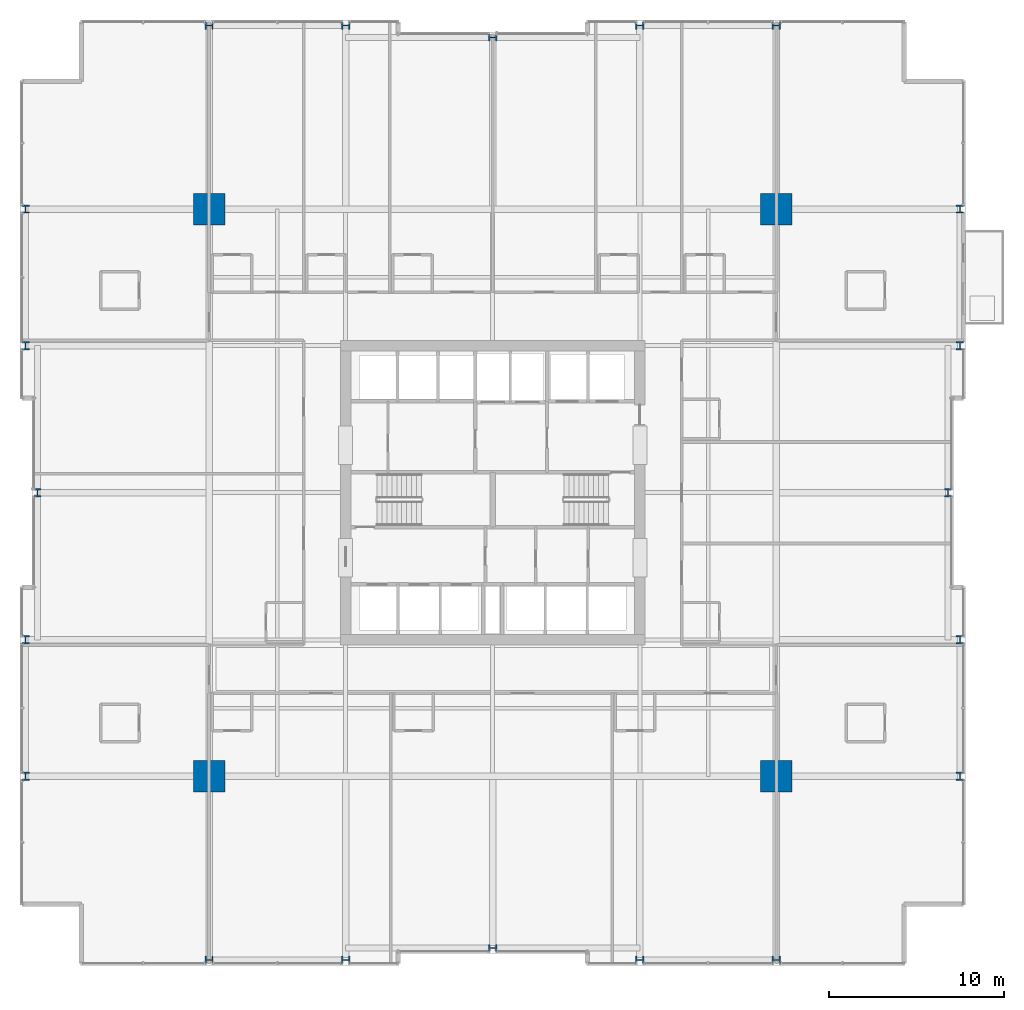
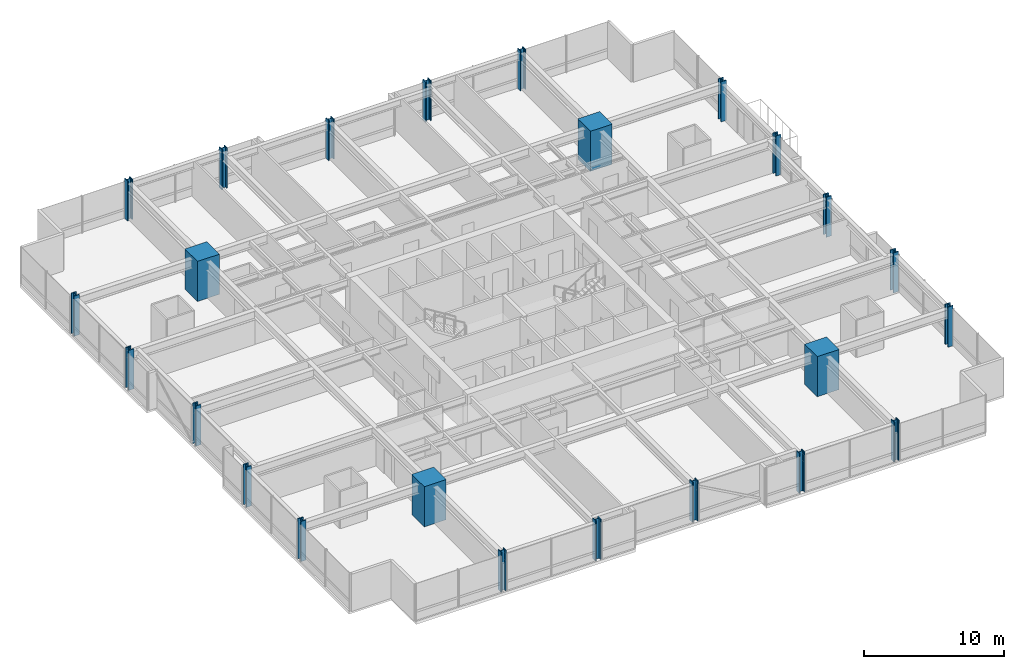
# One storey, part 1 of 38: 24 columns.
"""IFC4 building model written with IfcOpenShell, lengths in metres."""

import ifcopenshell
import ifcopenshell.guid

model = None  # the IFC model being written
_history = None  # IfcOwnerHistory: only IFC2X3 demands one
_inside = {}  # id of a spatial element -> (the spatial element, [elements in it])
_under = {}  # id of a project, library or spatial element -> (it, [spatial elements below it])
_declared = {}  # id of a project -> (the project, [libraries it declares])
_typed = {}  # id of a type object -> (the type object, [elements of that type])
_made_of = {}  # id of a material, layer set ... -> (it, [elements and type objects made of it])


def new_model(schema):
    """Start an empty IFC model of exactly this schema.

    Asked for "IFC4X3", IfcOpenShell would pick the latest addendum, in which some entities
    have other attributes; the version numbers below select the first issue.
    IFC2X3 requires an IfcOwnerHistory on every rooted entity: one is made here for all.
    """
    global model, _history
    if schema == "IFC4X3":
        model = ifcopenshell.file(schema_version=(4, 3, 0, 0))
    else:
        model = ifcopenshell.file(schema=schema)
    _inside.clear()
    _under.clear()
    _declared.clear()
    _typed.clear()
    _made_of.clear()
    _history = None
    if model.schema == "IFC2X3":
        org = make("IfcOrganization", Name="unknown")
        user = make(
            "IfcPersonAndOrganization",
            ThePerson=make("IfcPerson", FamilyName="unknown"),
            TheOrganization=org,
        )
        app = make(
            "IfcApplication",
            ApplicationDeveloper=org,
            Version="unknown",
            ApplicationFullName="unknown",
            ApplicationIdentifier="unknown",
        )
        _history = make(
            "IfcOwnerHistory",
            OwningUser=user,
            OwningApplication=app,
            ChangeAction="ADDED",
            CreationDate=0,
        )
    return model


def make(cls, **values):
    """One entity of the class cls with the attributes given. An attribute that is None is left unset."""
    return model.create_entity(
        cls, **{name: value for name, value in values.items() if value is not None}
    )


def rooted(cls, **values):
    """An entity with a GlobalId (a new one), such as an element, a storey or a relation."""
    return make(cls, GlobalId=ifcopenshell.guid.new(), OwnerHistory=_history, **values)


def si_unit(unit_type, name, prefix=None):
    """IfcSIUnit, for example si_unit("LENGTHUNIT", "METRE", prefix="MILLI")."""
    return make("IfcSIUnit", UnitType=unit_type, Prefix=prefix, Name=name)


def assignment(units):
    """IfcUnitAssignment: the units of a project."""
    return None if units is None else make("IfcUnitAssignment", Units=units)


def point(xyz):
    """IfcCartesianPoint."""
    return None if xyz is None else make("IfcCartesianPoint", Coordinates=xyz)


def direction(xyz):
    """IfcDirection."""
    return None if xyz is None else make("IfcDirection", DirectionRatios=xyz)


def frame(location, z_axis=None, x_axis=None):
    """IfcAxis2Placement3D, a coordinate frame: its origin and axes. An axis left out is left unset."""
    return make(
        "IfcAxis2Placement3D",
        Location=point(location),
        Axis=direction(z_axis),
        RefDirection=direction(x_axis),
    )


def frame_2d(location, x_axis=None):
    """IfcAxis2Placement2D, a coordinate frame in the plane: its origin and x axis."""
    return make(
        "IfcAxis2Placement2D", Location=point(location), RefDirection=direction(x_axis)
    )


def origin():
    """The frame at (0, 0, 0) with its axes left unset."""
    return frame((0.0, 0.0, 0.0))


def origin_2d():
    """The frame at (0, 0) in the plane with its x axis left unset."""
    return frame_2d((0.0, 0.0))


def place(relative_to, where):
    """IfcLocalPlacement: puts the frame where relative to a parent placement (None: the world)."""
    return make(
        "IfcLocalPlacement", PlacementRelTo=relative_to, RelativePlacement=where
    )


def context(
    kind, dimensions, precision=None, world=None, true_north=None, identifier=None
):
    """IfcGeometricRepresentationContext, for example the 3D "Model" context."""
    return make(
        "IfcGeometricRepresentationContext",
        ContextIdentifier=identifier,
        ContextType=kind,
        CoordinateSpaceDimension=dimensions,
        Precision=precision,
        WorldCoordinateSystem=world,
        TrueNorth=true_north,
    )


def subcontext(parent, identifier, kind, view, scale=None):
    """IfcGeometricRepresentationSubContext, for example "Body" below "Model"."""
    return make(
        "IfcGeometricRepresentationSubContext",
        ContextIdentifier=identifier,
        ContextType=kind,
        ParentContext=parent,
        TargetScale=scale,
        TargetView=view,
    )


def project(units=None, contexts=None):
    """IfcProject with its units and contexts."""
    return rooted(
        "IfcProject",
        Name="project",
        RepresentationContexts=contexts,
        UnitsInContext=assignment(units),
    )


def spatial(cls, under=None, at=None, **own):
    """A site, building, storey or space (cls), placed at a placement, below another one or the project."""
    s = rooted(cls, ObjectPlacement=at, **own)
    if under is not None:
        _under.setdefault(under.id(), (under, []))[1].append(s)
    return s


def profile(cls, at=None, kind="AREA", **sizes):
    """A parametric profile (cls). Its sizes go by their IFC names, for example OverallWidth=200.0."""
    return make(cls, ProfileType=kind, Position=at, **sizes)


def rectangle(**sizes):
    """IfcRectangleProfileDef."""
    return profile("IfcRectangleProfileDef", **sizes)


def i_section(**sizes):
    """IfcIShapeProfileDef."""
    return profile("IfcIShapeProfileDef", **sizes)


def extrude(swept, where, along, depth):
    """IfcExtrudedAreaSolid: the profile swept, set in the frame where, extruded along a direction by depth."""
    return make(
        "IfcExtrudedAreaSolid",
        SweptArea=swept,
        Position=where,
        ExtrudedDirection=direction(along),
        Depth=depth,
    )


def shape(context_of_items, identifier, shape_type, items):
    """IfcShapeRepresentation: the items that make up one representation, for example the "Body"."""
    return make(
        "IfcShapeRepresentation",
        ContextOfItems=context_of_items,
        RepresentationIdentifier=identifier,
        RepresentationType=shape_type,
        Items=items,
    )


def material(Name=None, Category=None):
    """IfcMaterial."""
    return make("IfcMaterial", Name=Name, Category=Category)


def material_profile(
    of_material, cross_section, Name=None, Category=None, Priority=None
):
    """IfcMaterialProfile: a cross section and its material."""
    return make(
        "IfcMaterialProfile",
        Name=Name,
        Material=of_material,
        Profile=cross_section,
        Priority=Priority,
        Category=Category,
    )


def profile_set(profiles, Name=None, composite=None):
    """IfcMaterialProfileSet."""
    return make(
        "IfcMaterialProfileSet",
        Name=Name,
        MaterialProfiles=profiles,
        CompositeProfile=composite,
    )


def made_of(thing, what):
    """Note that an element or type object is made of a material, layer set ...; save() writes the relation."""
    if what is not None:
        _made_of.setdefault(what.id(), (what, []))[1].append(thing)
    return thing


def type_object(cls, material=None, **own):
    """A type object (cls), such as IfcWallType, which elements share."""
    return made_of(rooted(cls, **own), material)


def element(
    cls,
    number,
    at=None,
    inside=None,
    cuts=None,
    type_object=None,
    material=None,
    context=None,
    identifier="Body",
    shape_type=None,
    held_by="IfcProductDefinitionShape",
    body=None,
    shapes=None,
    **own,
):
    """One element of the class cls, such as IfcWall. Its Tag is "e" and its number.

    at: its placement. inside: the storey or other place that contains it. cuts: it is an
    opening in that element (IfcRelVoidsElement). A single representation is given by context,
    identifier, shape_type and body (its items); several are given by shapes. held_by: the class
    of the entity that holds the representations. save() writes the other relations.
    """
    e = rooted(cls, Tag="e%d" % number, ObjectPlacement=at, **own)
    if body is not None:
        shapes = [shape(context, identifier, shape_type, body)]
    if shapes is not None:
        e.Representation = make(held_by, Representations=shapes)
    if inside is not None:
        _inside.setdefault(inside.id(), (inside, []))[1].append(e)
    if cuts is not None:
        rooted(
            "IfcRelVoidsElement", RelatingBuildingElement=cuts, RelatedOpeningElement=e
        )
    if type_object is not None:
        _typed.setdefault(type_object.id(), (type_object, []))[1].append(e)
    return made_of(e, material)


def aggregate(whole, parts):
    """IfcRelAggregates: a whole, such as a stair, and the parts it consists of."""
    return rooted("IfcRelAggregates", RelatingObject=whole, RelatedObjects=parts)


def save(model, path):
    """Write the relations noted so far, then the file.

    IfcRelAggregates (storeys below a building ...), IfcRelContainedInSpatialStructure (elements
    in a storey), IfcRelDefinesByType, IfcRelAssociatesMaterial and IfcRelDeclares: one each for
    every whole, place, type object, material and project.
    """
    for whole, parts in _under.values():
        aggregate(whole, parts)
    for where, things in _inside.values():
        rooted(
            "IfcRelContainedInSpatialStructure",
            RelatedElements=things,
            RelatingStructure=where,
        )
    for kind, things in _typed.values():
        rooted("IfcRelDefinesByType", RelatedObjects=things, RelatingType=kind)
    for what, things in _made_of.values():
        rooted("IfcRelAssociatesMaterial", RelatedObjects=things, RelatingMaterial=what)
    for by, libraries in _declared.values():
        rooted("IfcRelDeclares", RelatingContext=by, RelatedDefinitions=libraries)
    model.write(path)


model = new_model("IFC4")

# Units and contexts
model_context = context("Model", 3, precision=1e-05, world=origin(), true_north=direction((0.0, 1.0)))
body_context = subcontext(model_context, "Body", "Model", "MODEL_VIEW")
ifc_project = project(units=[si_unit("LENGTHUNIT", "METRE"), si_unit("AREAUNIT", "SQUARE_METRE"), si_unit("VOLUMEUNIT", "CUBIC_METRE"), si_unit("PLANEANGLEUNIT", "RADIAN"), si_unit("MASSUNIT", "GRAM", prefix="KILO")], contexts=[model_context])

# Site, building, storey
site_placement = place(None, origin())
site = spatial("IfcSite", under=ifc_project, at=site_placement, CompositionType="ELEMENT")
building_placement = place(site_placement, origin())
building = spatial("IfcBuilding", under=site, at=building_placement, Name="Drelvath Grand Hotel", CompositionType="ELEMENT")
storey_placement = place(building_placement, frame((0.0, 0.0, 71.699951171875)))
storey = spatial("IfcBuildingStorey", under=building, at=storey_placement, Name="L17", CompositionType="ELEMENT", Elevation=71.699951171875)

# Columns
ifc_material_1 = material(Name="Concrete f'c 70 MPa", Category="concrete")
ifc_material_profile_1 = material_profile(ifc_material_1, rectangle(XDim=1.800048828125, YDim=1.800048828125, at=origin_2d()), Name="MC1800X1800")
ifc_profile_set_1 = profile_set([ifc_material_profile_1], Name="Concrete f'c 70 MPa")
column_type_1 = type_object("IfcColumnType", Name="Composite Mega Column MC1800X1800", PredefinedType="COLUMN", material=ifc_profile_set_1)
for number, where, z_axis, x_axis, name in (
    (1, (-16.199951171875, 10.800048828125, 0.0), (0.0, 0.0, 1.0), (1.0, 0.0, 0.0), "L17 Composite Mega Column MC-SW"),
    (2, (16.199951171875, 10.800048828125, 0.0), (0.0, 0.0, 1.0), (1.0, 0.0, 0.0), "L17 Composite Mega Column MC-SE"),
    (3, (-16.199951171875, 43.199951171875, 0.0), (0.0, 0.0, 1.0), (1.0, 0.0, 0.0), "L17 Composite Mega Column MC-NW"),
    (4, (16.199951171875, 43.199951171875, 0.0), (0.0, 0.0, 1.0), (1.0, 0.0, 0.0), "L17 Composite Mega Column MC-NE"),
):
    element("IfcColumn", number, at=place(storey_placement, frame(where, z_axis=z_axis, x_axis=x_axis)), inside=storey, type_object=column_type_1, Name=name, PredefinedType="COLUMN", context=body_context, shape_type="SweptSolid", body=[
        extrude(rectangle(XDim=1.800048828125, YDim=1.800048828125, at=origin_2d()), origin(), (0.0, 0.0, 1.0), 3.5),
    ])
ifc_material_2 = material(Name="Steel ASTM A913 Gr 65", Category="steel")
ifc_material_profile_2 = material_profile(ifc_material_2, i_section(OverallWidth=0.424072265625, OverallDepth=0.47412109375, WebThickness=0.047607421875, FlangeThickness=0.0771484375, FilletRadius=0.030029296875, at=origin_2d()), Name="W14X426")
ifc_profile_set_2 = profile_set([ifc_material_profile_2], Name="Steel ASTM A913 Gr 65")
column_type_2 = type_object("IfcColumnType", Name="Perimeter Steel Column W14X426", PredefinedType="COLUMN", material=ifc_profile_set_2)
for number, where, z_axis, x_axis, name in (
    (5, (-26.679931640625, 10.800048828125, 0.0), (0.0, 0.0, 1.0), (1.0, 0.0, 0.0), "L17 Structural Column TCW-C"),
    (6, (26.679931640625, 10.800048828125, 0.0), (0.0, 0.0, 1.0), (1.0, 0.0, 0.0), "L17 Structural Column TCE-C"),
    (7, (-26.679931640625, 18.60009765625, 0.0), (0.0, 0.0, 1.0), (1.0, 0.0, 0.0), "L17 Structural Column TCW-D"),
    (8, (26.679931640625, 18.60009765625, 0.0), (0.0, 0.0, 1.0), (1.0, 0.0, 0.0), "L17 Structural Column TCE-D"),
    (9, (-26.0, 27.0, 0.0), (0.0, 0.0, 1.0), (1.0, 0.0, 0.0), "L17 Structural Column TCW-E"),
    (10, (26.0, 27.0, 0.0), (0.0, 0.0, 1.0), (1.0, 0.0, 0.0), "L17 Structural Column TCE-E"),
    (11, (-26.679931640625, 35.39990234375, 0.0), (0.0, 0.0, 1.0), (1.0, 0.0, 0.0), "L17 Structural Column TCW-F"),
    (12, (26.679931640625, 35.39990234375, 0.0), (0.0, 0.0, 1.0), (1.0, 0.0, 0.0), "L17 Structural Column TCE-F"),
    (13, (-26.679931640625, 43.199951171875, 0.0), (0.0, 0.0, 1.0), (1.0, 0.0, 0.0), "L17 Structural Column TCW-G"),
    (14, (26.679931640625, 43.199951171875, 0.0), (0.0, 0.0, 1.0), (1.0, 0.0, 0.0), "L17 Structural Column TCE-G"),
    (15, (-16.199951171875, 0.320068359375, 0.0), (0.0, 0.0, 1.0), (0.0, 1.0, 0.0), "L17 Structural Column TCS-3"),
    (16, (-16.199951171875, 53.679931640625, 0.0), (0.0, 0.0, 1.0), (0.0, 1.0, 0.0), "L17 Structural Column TCN-3"),
    (17, (-8.39990234375, 0.320068359375, 0.0), (0.0, 0.0, 1.0), (0.0, 1.0, 0.0), "L17 Structural Column TCS-4"),
    (18, (-8.39990234375, 53.679931640625, 0.0), (0.0, 0.0, 1.0), (0.0, 1.0, 0.0), "L17 Structural Column TCN-4"),
    (19, (0.0, 1.0, 0.0), (0.0, 0.0, 1.0), (0.0, 1.0, 0.0), "L17 Structural Column TCS-5"),
    (20, (0.0, 53.0, 0.0), (0.0, 0.0, 1.0), (0.0, 1.0, 0.0), "L17 Structural Column TCN-5"),
    (21, (8.39990234375, 0.320068359375, 0.0), (0.0, 0.0, 1.0), (0.0, 1.0, 0.0), "L17 Structural Column TCS-6"),
    (22, (8.39990234375, 53.679931640625, 0.0), (0.0, 0.0, 1.0), (0.0, 1.0, 0.0), "L17 Structural Column TCN-6"),
    (23, (16.199951171875, 0.320068359375, 0.0), (0.0, 0.0, 1.0), (0.0, 1.0, 0.0), "L17 Structural Column TCS-7"),
    (24, (16.199951171875, 53.679931640625, 0.0), (0.0, 0.0, 1.0), (0.0, 1.0, 0.0), "L17 Structural Column TCN-7"),
):
    element("IfcColumn", number, at=place(storey_placement, frame(where, z_axis=z_axis, x_axis=x_axis)), inside=storey, type_object=column_type_2, Name=name, PredefinedType="COLUMN", context=body_context, shape_type="SweptSolid", body=[
        extrude(i_section(OverallWidth=0.424072265625, OverallDepth=0.47412109375, WebThickness=0.047607421875, FlangeThickness=0.0771484375, FilletRadius=0.030029296875, at=origin_2d()), origin(), (0.0, 0.0, 1.0), 3.4970703125),
    ])

save(model, "model.ifc")
